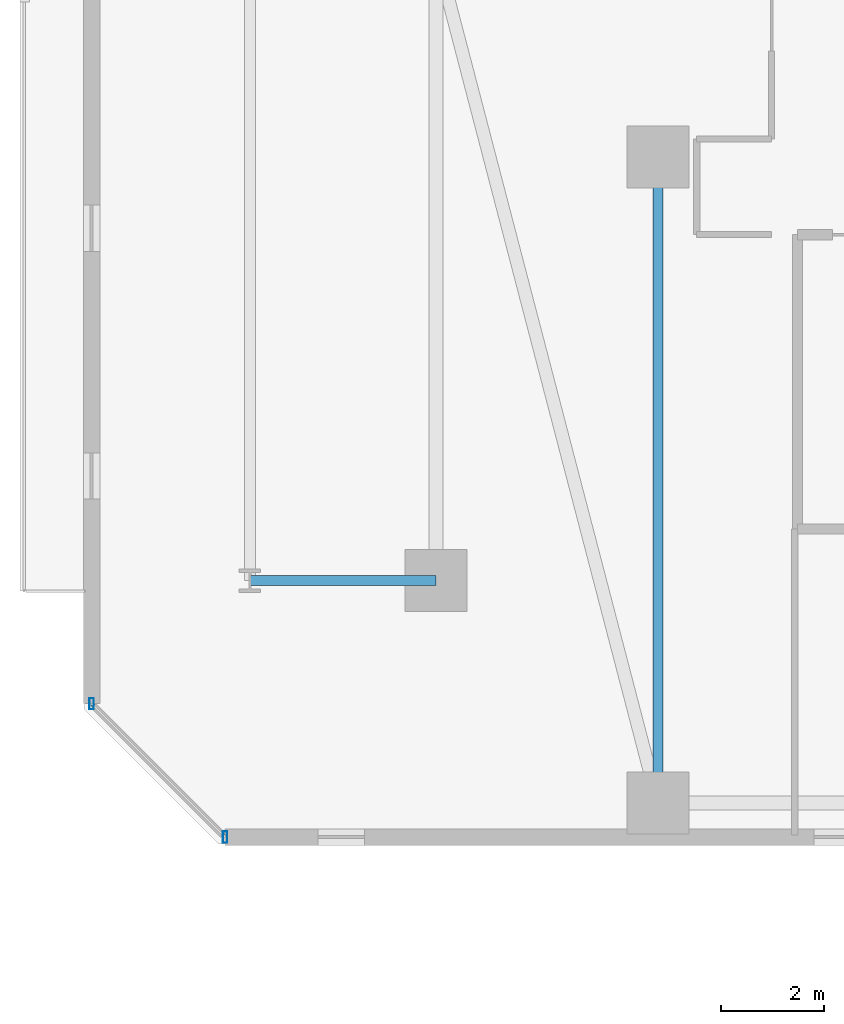
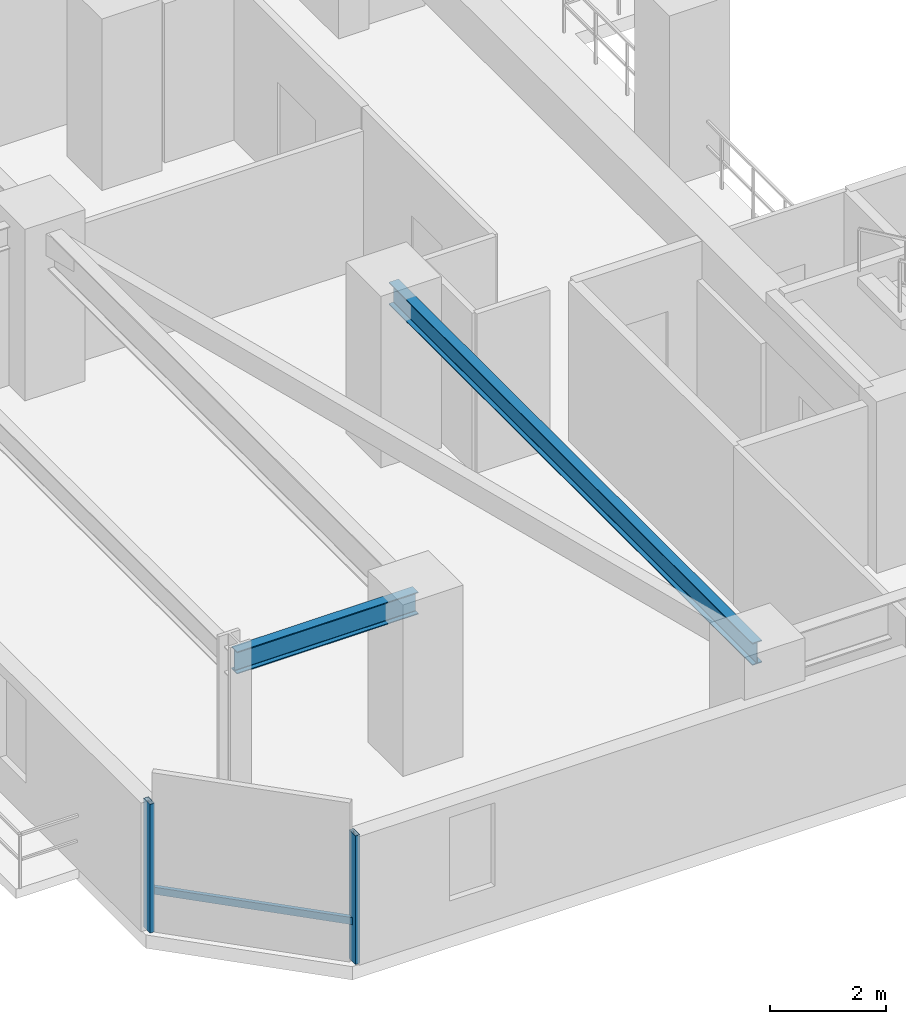
# One storey, part 3 of 33: 3 members, 2 beams, 1 element without a shape of its own.
"""IFC4 building model written with IfcOpenShell, lengths in metres."""

from ifc_helpers import new_model, si_unit, direction, frame, origin, origin_2d, place, context, subcontext, project, spatial, hollow_rectangle, i_section, extrude, material, material_profile, profile_set, type_object, element, aggregate, save


model = new_model("IFC4")

# Units and contexts
model_context = context("Model", 3, precision=1e-05, world=origin(), true_north=direction((0.0, 1.0)))
body_context = subcontext(model_context, "Body", "Model", "MODEL_VIEW")
ifc_project = project(units=[si_unit("LENGTHUNIT", "METRE"), si_unit("AREAUNIT", "SQUARE_METRE"), si_unit("VOLUMEUNIT", "CUBIC_METRE"), si_unit("PLANEANGLEUNIT", "RADIAN"), si_unit("MASSUNIT", "GRAM", prefix="KILO")], contexts=[model_context])

# Site, building, storey
site_placement = place(None, origin())
site = spatial("IfcSite", under=ifc_project, at=site_placement, CompositionType="ELEMENT")
building_placement = place(site_placement, origin())
building = spatial("IfcBuilding", under=site, at=building_placement, Name="Thornwick Lancets Civic Towers", CompositionType="ELEMENT")
storey_placement = place(building_placement, frame((0.0, 0.0, 101.699951171875)))
storey = spatial("IfcBuildingStorey", under=building, at=storey_placement, Name="L26", CompositionType="ELEMENT", Elevation=101.699951171875)

# Beams
ifc_material_1 = material(Name="Steel S355JR", Category="steel")
ifc_material_profile_1 = material_profile(ifc_material_1, i_section(OverallWidth=0.19287109375, OverallDepth=0.46728515625, WebThickness=0.011474609375, FlangeThickness=0.01953125, FilletRadius=0.01025390625, at=origin_2d()), Name="UKB 457x191x98")
ifc_profile_set_1 = profile_set([ifc_material_profile_1], Name="Steel S355JR")
beam_type = type_object("IfcBeamType", Name="BM_JOIST_457_98", PredefinedType="JOIST", material=ifc_profile_set_1)
beam_1_placement = place(storey_placement, frame((12.5, 22.199951171875, 3.12646484375), z_axis=(0.0, -1.0, 0.0), x_axis=(1.0, 0.0, 0.0)))
element("IfcBeam", 1, at=beam_1_placement, inside=storey, type_object=beam_type, Name="BM-RADIN-L26-A01", PredefinedType="JOIST", context=body_context, shape_type="SweptSolid", body=[
    extrude(i_section(OverallWidth=0.19287109375, OverallDepth=0.46728515625, WebThickness=0.011474609375, FlangeThickness=0.01953125, FilletRadius=0.01025390625, at=origin_2d()), origin(), (0.0, 0.0, 1.0), 12.5),
])
beam_2_placement = place(storey_placement, frame((8.199951171875, 14.0, 3.12646484375), z_axis=(-1.0, 0.0, 0.0), x_axis=(0.0, -1.0, 0.0)))
element("IfcBeam", 2, at=beam_2_placement, inside=storey, type_object=beam_type, Name="BM-RAD-L26-A10", PredefinedType="JOIST", context=body_context, shape_type="SweptSolid", body=[
    extrude(i_section(OverallWidth=0.19287109375, OverallDepth=0.46728515625, WebThickness=0.011474609375, FlangeThickness=0.01953125, FilletRadius=0.01025390625, at=origin_2d()), origin(), (0.0, 0.0, 1.0), 3.599853515625),
])

# Curtain wall, members
ifc_material_2 = material(Name="Low-zone chamfered-corner unitised glass curtain wall", Category="glass")
curtain_wall_type = type_object("IfcCurtainWallType", Name="CW_SYS_03", PredefinedType="NOTDEFINED", material=ifc_material_2)
curtain_wall_placement = place(storey_placement, origin())
curtain_wall = element("IfcCurtainWall", 3, at=curtain_wall_placement, inside=storey, type_object=curtain_wall_type, Name="L26 Curtain Wall CW-L26-A-E7", PredefinedType="NOTDEFINED")
ifc_material_3 = material(Name="Thermally broken bronze aluminium S355", Category="steel")
ifc_material_profile_2 = material_profile(ifc_material_3, hollow_rectangle(XDim=0.090087890625, YDim=0.219970703125, WallThickness=0.00634765625, at=origin_2d()), Name="RHS 220x90x6.3")
ifc_profile_set_2 = profile_set([ifc_material_profile_2], Name="Thermally broken bronze aluminium S355")
member_type_1 = type_object("IfcMemberType", Name="CW_MUL_220", PredefinedType="MULLION", material=ifc_profile_set_2)
member_1_placement = place(storey_placement, frame((1.535400390625, 11.61865234375, 0.0), z_axis=(0.0, 0.0, 1.0), x_axis=(1.0, 0.0, 0.0)))
member_1 = element("IfcMember", 4, at=member_1_placement, type_object=member_type_1, Name="CW-L26-A-E7 Mullion 0", PredefinedType="MULLION", context=body_context, shape_type="SweptSolid", body=[
    extrude(hollow_rectangle(XDim=0.090087890625, YDim=0.219970703125, WallThickness=0.00634765625, at=origin_2d()), origin(), (0.0, 0.0, 1.0), 2.699951171875),
])
member_2_placement = place(storey_placement, frame((4.11865234375, 9.035400390625, 0.0), z_axis=(0.0, 0.0, 1.0), x_axis=(1.0, 0.0, 0.0)))
member_2 = element("IfcMember", 5, at=member_2_placement, type_object=member_type_1, Name="CW-L26-A-E7 Mullion 1", PredefinedType="MULLION", context=body_context, shape_type="SweptSolid", body=[
    extrude(hollow_rectangle(XDim=0.090087890625, YDim=0.219970703125, WallThickness=0.00634765625, at=origin_2d()), origin(), (0.0, 0.0, 1.0), 2.699951171875),
])
ifc_material_profile_3 = material_profile(ifc_material_3, hollow_rectangle(XDim=0.074951171875, YDim=0.14990234375, WallThickness=0.0048828125, at=origin_2d()), Name="RHS 150x75x5")
ifc_profile_set_3 = profile_set([ifc_material_profile_3], Name="Thermally broken bronze aluminium S355")
member_type_2 = type_object("IfcMemberType", Name="CW_TRN_150", PredefinedType="USERDEFINED", material=ifc_profile_set_3)
member_3_placement = place(storey_placement, frame((1.54931640625, 11.6044921875, 0.85009765625), z_axis=(0.707106781187, -0.707106781187, 0.0), x_axis=(0.707106781187, 0.707106781187, 0.0)))
member_3 = element("IfcMember", 6, at=member_3_placement, type_object=member_type_2, Name="CW-L26-A-E7 Transom 0", ObjectType="TRANSOM", PredefinedType="USERDEFINED", context=body_context, shape_type="SweptSolid", body=[
    extrude(hollow_rectangle(XDim=0.074951171875, YDim=0.14990234375, WallThickness=0.0048828125, at=origin_2d()), origin(), (0.0, 0.0, 1.0), 3.613525390625),
])
aggregate(curtain_wall, [member_1, member_2, member_3])

save(model, "model.ifc")
